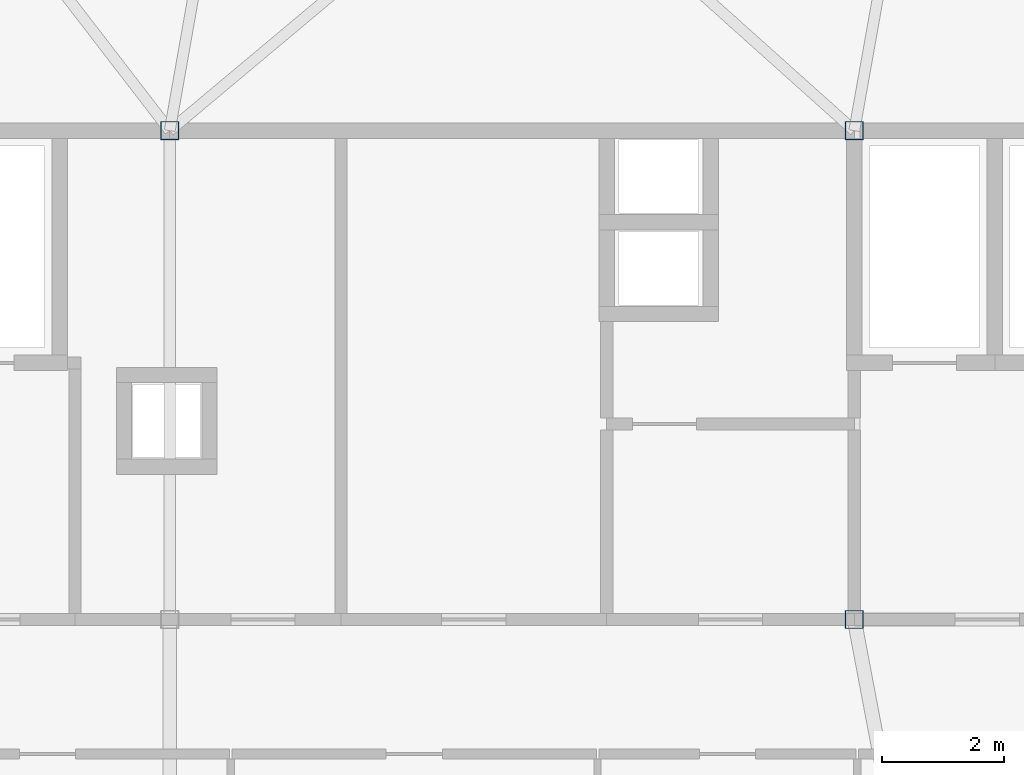
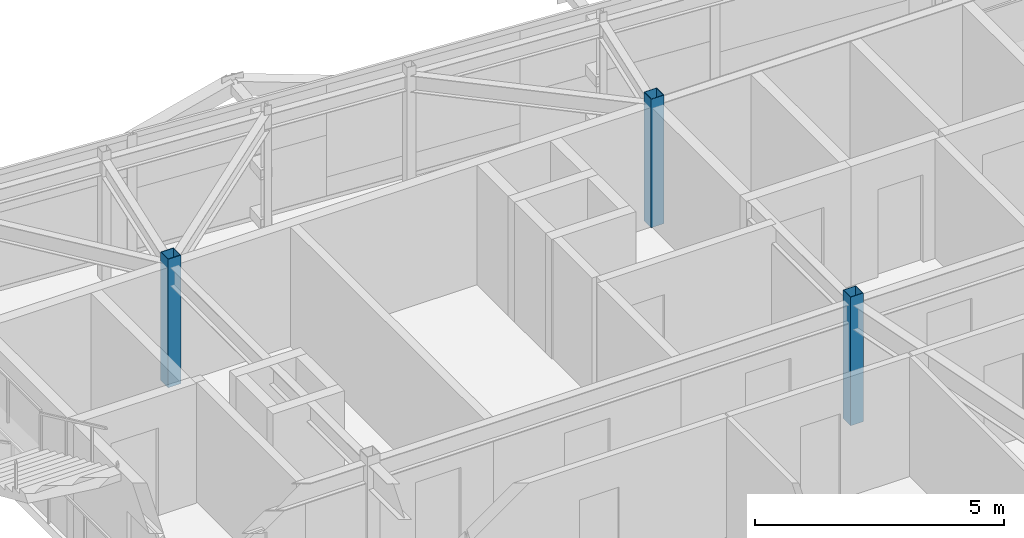
# One storey, part 4 of 34: 3 columns.
"""IFC4 building model written with IfcOpenShell, lengths in metres."""

from ifc_helpers import new_model, si_unit, direction, frame, origin, origin_2d, place, context, subcontext, project, spatial, hollow_rectangle, extrude, source, transform, mapped, material, material_profile, profile_set, type_object, element, save


model = new_model("IFC4")

# Units and contexts
model_context = context("Model", 3, precision=1e-05, world=origin(), true_north=direction((0.0, 1.0)))
body_context = subcontext(model_context, "Body", "Model", "MODEL_VIEW")
ifc_project = project(units=[si_unit("LENGTHUNIT", "METRE"), si_unit("AREAUNIT", "SQUARE_METRE"), si_unit("VOLUMEUNIT", "CUBIC_METRE"), si_unit("PLANEANGLEUNIT", "RADIAN"), si_unit("MASSUNIT", "GRAM", prefix="KILO")], contexts=[model_context])

# Site, building, storey
site_placement = place(None, origin())
site = spatial("IfcSite", under=ifc_project, at=site_placement, CompositionType="ELEMENT")
building_placement = place(site_placement, origin())
building = spatial("IfcBuilding", under=site, at=building_placement, Name="Taldren Reach Tower", CompositionType="ELEMENT")
storey_placement = place(building_placement, frame((0.0, 0.0, 239.75)))
storey = spatial("IfcBuildingStorey", under=building, at=storey_placement, Name="L73", CompositionType="ELEMENT", Elevation=239.75)

# Columns
ifc_material = material(Name="Steel Gr 450 (C450L0)", Category="steel")
ifc_material_profile = material_profile(ifc_material, hollow_rectangle(XDim=0.300048828125, YDim=0.300048828125, WallThickness=0.012451171875, at=origin_2d()), Name="300x300x12.5SHS")
ifc_profile_set = profile_set([ifc_material_profile], Name="Steel Gr 450 (C450L0)")
column_type = type_object("IfcColumnType", Name="COL-SHS300", PredefinedType="COLUMN", material=ifc_profile_set)
shared_shape = source(origin(), body_context, "Body", "SweptSolid", [
    extrude(hollow_rectangle(XDim=0.300048828125, YDim=0.300048828125, WallThickness=0.012451171875, at=origin_2d()), origin(), (0.0, 0.0, 1.0), 3.14990234375),
])
for number, where, z_axis, x_axis, name in (
    (1, (39.199951171875, 24.0, 0.0), (0.0, 0.0, 1.0), (1.0, 0.0, 0.0), "Mega column MC-C3 L73"),
    (2, (28.0, 32.0, 0.0), (0.0, 0.0, 1.0), (1.0, 0.0, 0.0), "Mega column MC-C6 L73"),
    (3, (39.199951171875, 32.0, 0.0), (0.0, 0.0, 1.0), (1.0, 0.0, 0.0), "Mega column MC-C7 L73"),
):
    element("IfcColumn", number, at=place(storey_placement, frame(where, z_axis=z_axis, x_axis=x_axis)), inside=storey, type_object=column_type, Name=name, PredefinedType="COLUMN", context=body_context, shape_type="MappedRepresentation", body=[
        mapped(shared_shape, transform((0.0, 0.0, 0.0), scale=1.0)),
    ])

save(model, "model.ifc")
